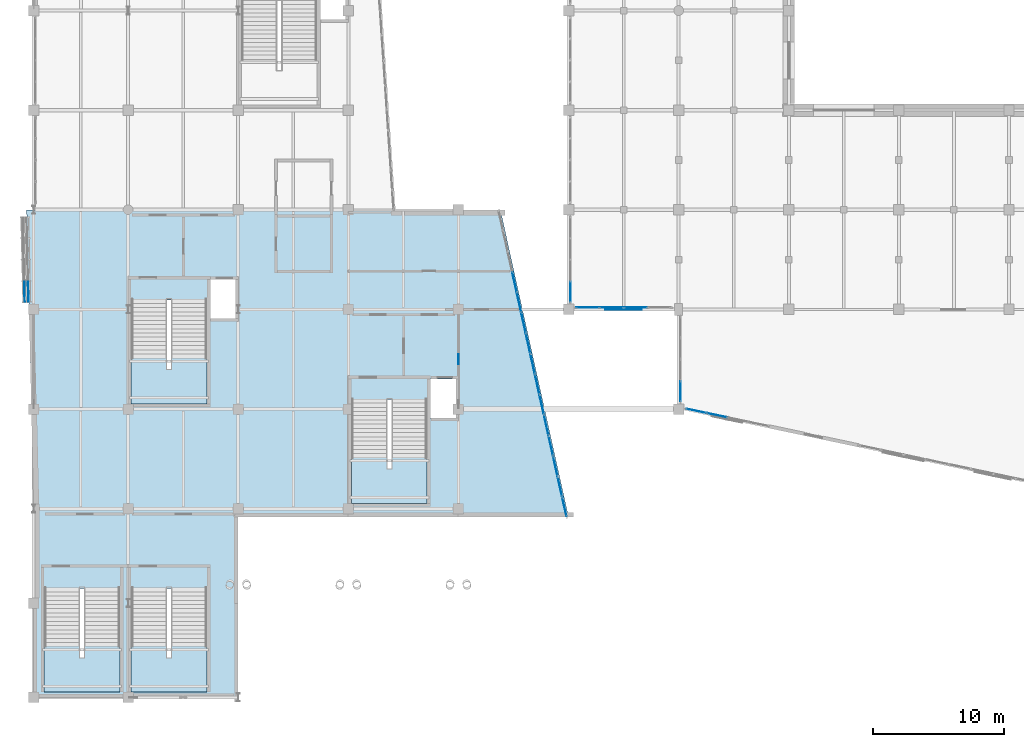
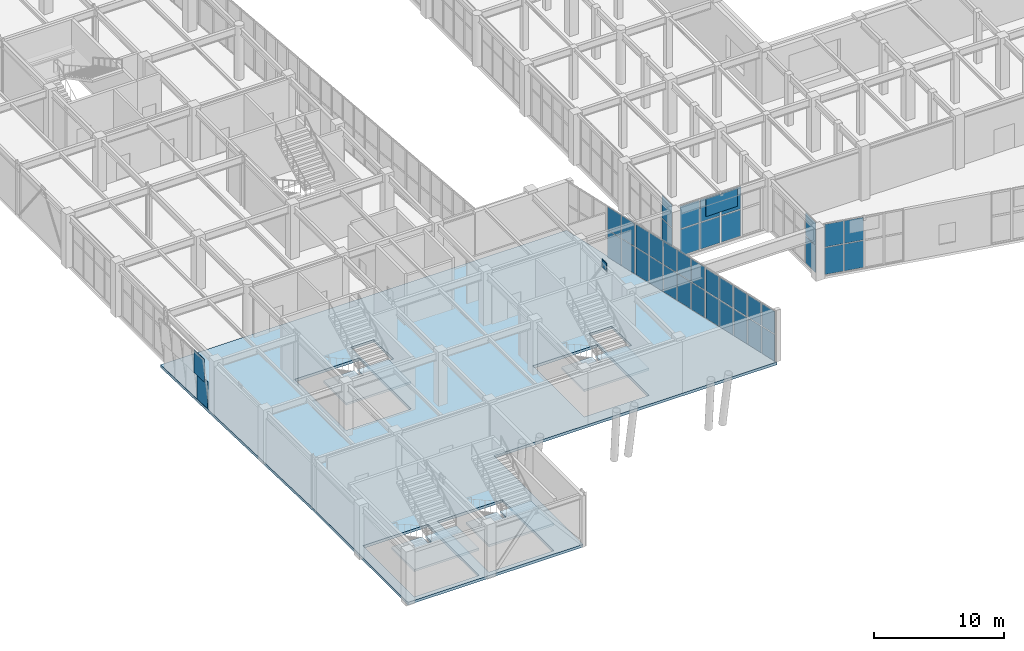
# One storey, part 94 of 128: 42 plates, 5 slabs, 12 elements without a shape of their own.
"""IFC4 building model written with IfcOpenShell, lengths in metres."""

import ifcopenshell
import ifcopenshell.guid

model = None  # the IFC model being written
_history = None  # IfcOwnerHistory: only IFC2X3 demands one
_inside = {}  # id of a spatial element -> (the spatial element, [elements in it])
_under = {}  # id of a project, library or spatial element -> (it, [spatial elements below it])
_declared = {}  # id of a project -> (the project, [libraries it declares])
_typed = {}  # id of a type object -> (the type object, [elements of that type])
_made_of = {}  # id of a material, layer set ... -> (it, [elements and type objects made of it])


def new_model(schema):
    """Start an empty IFC model of exactly this schema.

    Asked for "IFC4X3", IfcOpenShell would pick the latest addendum, in which some entities
    have other attributes; the version numbers below select the first issue.
    IFC2X3 requires an IfcOwnerHistory on every rooted entity: one is made here for all.
    """
    global model, _history
    if schema == "IFC4X3":
        model = ifcopenshell.file(schema_version=(4, 3, 0, 0))
    else:
        model = ifcopenshell.file(schema=schema)
    _inside.clear()
    _under.clear()
    _declared.clear()
    _typed.clear()
    _made_of.clear()
    _history = None
    if model.schema == "IFC2X3":
        org = make("IfcOrganization", Name="unknown")
        user = make(
            "IfcPersonAndOrganization",
            ThePerson=make("IfcPerson", FamilyName="unknown"),
            TheOrganization=org,
        )
        app = make(
            "IfcApplication",
            ApplicationDeveloper=org,
            Version="unknown",
            ApplicationFullName="unknown",
            ApplicationIdentifier="unknown",
        )
        _history = make(
            "IfcOwnerHistory",
            OwningUser=user,
            OwningApplication=app,
            ChangeAction="ADDED",
            CreationDate=0,
        )
    return model


def make(cls, **values):
    """One entity of the class cls with the attributes given. An attribute that is None is left unset."""
    return model.create_entity(
        cls, **{name: value for name, value in values.items() if value is not None}
    )


def rooted(cls, **values):
    """An entity with a GlobalId (a new one), such as an element, a storey or a relation."""
    return make(cls, GlobalId=ifcopenshell.guid.new(), OwnerHistory=_history, **values)


def si_unit(unit_type, name, prefix=None):
    """IfcSIUnit, for example si_unit("LENGTHUNIT", "METRE", prefix="MILLI")."""
    return make("IfcSIUnit", UnitType=unit_type, Prefix=prefix, Name=name)


def assignment(units):
    """IfcUnitAssignment: the units of a project."""
    return None if units is None else make("IfcUnitAssignment", Units=units)


def point(xyz):
    """IfcCartesianPoint."""
    return None if xyz is None else make("IfcCartesianPoint", Coordinates=xyz)


def direction(xyz):
    """IfcDirection."""
    return None if xyz is None else make("IfcDirection", DirectionRatios=xyz)


def frame(location, z_axis=None, x_axis=None):
    """IfcAxis2Placement3D, a coordinate frame: its origin and axes. An axis left out is left unset."""
    return make(
        "IfcAxis2Placement3D",
        Location=point(location),
        Axis=direction(z_axis),
        RefDirection=direction(x_axis),
    )


def frame_2d(location, x_axis=None):
    """IfcAxis2Placement2D, a coordinate frame in the plane: its origin and x axis."""
    return make(
        "IfcAxis2Placement2D", Location=point(location), RefDirection=direction(x_axis)
    )


def origin():
    """The frame at (0, 0, 0) with its axes left unset."""
    return frame((0.0, 0.0, 0.0))


def origin_2d():
    """The frame at (0, 0) in the plane with its x axis left unset."""
    return frame_2d((0.0, 0.0))


def place(relative_to, where):
    """IfcLocalPlacement: puts the frame where relative to a parent placement (None: the world)."""
    return make(
        "IfcLocalPlacement", PlacementRelTo=relative_to, RelativePlacement=where
    )


def context(
    kind, dimensions, precision=None, world=None, true_north=None, identifier=None
):
    """IfcGeometricRepresentationContext, for example the 3D "Model" context."""
    return make(
        "IfcGeometricRepresentationContext",
        ContextIdentifier=identifier,
        ContextType=kind,
        CoordinateSpaceDimension=dimensions,
        Precision=precision,
        WorldCoordinateSystem=world,
        TrueNorth=true_north,
    )


def subcontext(parent, identifier, kind, view, scale=None):
    """IfcGeometricRepresentationSubContext, for example "Body" below "Model"."""
    return make(
        "IfcGeometricRepresentationSubContext",
        ContextIdentifier=identifier,
        ContextType=kind,
        ParentContext=parent,
        TargetScale=scale,
        TargetView=view,
    )


def project(units=None, contexts=None):
    """IfcProject with its units and contexts."""
    return rooted(
        "IfcProject",
        Name="project",
        RepresentationContexts=contexts,
        UnitsInContext=assignment(units),
    )


def spatial(cls, under=None, at=None, **own):
    """A site, building, storey or space (cls), placed at a placement, below another one or the project."""
    s = rooted(cls, ObjectPlacement=at, **own)
    if under is not None:
        _under.setdefault(under.id(), (under, []))[1].append(s)
    return s


def polyline(points):
    """IfcPolyline through the points."""
    return make("IfcPolyline", Points=[point(p) for p in points])


def profile(cls, at=None, kind="AREA", **sizes):
    """A parametric profile (cls). Its sizes go by their IFC names, for example OverallWidth=200.0."""
    return make(cls, ProfileType=kind, Position=at, **sizes)


def rectangle(**sizes):
    """IfcRectangleProfileDef."""
    return profile("IfcRectangleProfileDef", **sizes)


def outline(outer, holes=None, kind="AREA"):
    """IfcArbitraryClosedProfileDef: a profile drawn as a closed curve; with holes, ...WithVoids."""
    if holes is None:
        return make("IfcArbitraryClosedProfileDef", ProfileType=kind, OuterCurve=outer)
    return make(
        "IfcArbitraryProfileDefWithVoids",
        ProfileType=kind,
        OuterCurve=outer,
        InnerCurves=holes,
    )


def extrude(swept, where, along, depth):
    """IfcExtrudedAreaSolid: the profile swept, set in the frame where, extruded along a direction by depth."""
    return make(
        "IfcExtrudedAreaSolid",
        SweptArea=swept,
        Position=where,
        ExtrudedDirection=direction(along),
        Depth=depth,
    )


def shape(context_of_items, identifier, shape_type, items):
    """IfcShapeRepresentation: the items that make up one representation, for example the "Body"."""
    return make(
        "IfcShapeRepresentation",
        ContextOfItems=context_of_items,
        RepresentationIdentifier=identifier,
        RepresentationType=shape_type,
        Items=items,
    )


def material(Name=None, Category=None):
    """IfcMaterial."""
    return make("IfcMaterial", Name=Name, Category=Category)


def layer(
    of_material, thickness, ventilated=None, Name=None, Category=None, Priority=None
):
    """IfcMaterialLayer: one layer of a wall or slab, of a material (None: an air gap)."""
    return make(
        "IfcMaterialLayer",
        Material=of_material,
        LayerThickness=thickness,
        IsVentilated=ventilated,
        Name=Name,
        Category=Category,
        Priority=Priority,
    )


def layer_set(layers, Name=None):
    """IfcMaterialLayerSet."""
    return make("IfcMaterialLayerSet", MaterialLayers=layers, LayerSetName=Name)


def made_of(thing, what):
    """Note that an element or type object is made of a material, layer set ...; save() writes the relation."""
    if what is not None:
        _made_of.setdefault(what.id(), (what, []))[1].append(thing)
    return thing


def type_object(cls, material=None, **own):
    """A type object (cls), such as IfcWallType, which elements share."""
    return made_of(rooted(cls, **own), material)


def element(
    cls,
    number,
    at=None,
    inside=None,
    cuts=None,
    type_object=None,
    material=None,
    context=None,
    identifier="Body",
    shape_type=None,
    held_by="IfcProductDefinitionShape",
    body=None,
    shapes=None,
    **own,
):
    """One element of the class cls, such as IfcWall. Its Tag is "e" and its number.

    at: its placement. inside: the storey or other place that contains it. cuts: it is an
    opening in that element (IfcRelVoidsElement). A single representation is given by context,
    identifier, shape_type and body (its items); several are given by shapes. held_by: the class
    of the entity that holds the representations. save() writes the other relations.
    """
    e = rooted(cls, Tag="e%d" % number, ObjectPlacement=at, **own)
    if body is not None:
        shapes = [shape(context, identifier, shape_type, body)]
    if shapes is not None:
        e.Representation = make(held_by, Representations=shapes)
    if inside is not None:
        _inside.setdefault(inside.id(), (inside, []))[1].append(e)
    if cuts is not None:
        rooted(
            "IfcRelVoidsElement", RelatingBuildingElement=cuts, RelatedOpeningElement=e
        )
    if type_object is not None:
        _typed.setdefault(type_object.id(), (type_object, []))[1].append(e)
    return made_of(e, material)


def aggregate(whole, parts):
    """IfcRelAggregates: a whole, such as a stair, and the parts it consists of."""
    return rooted("IfcRelAggregates", RelatingObject=whole, RelatedObjects=parts)


def save(model, path):
    """Write the relations noted so far, then the file.

    IfcRelAggregates (storeys below a building ...), IfcRelContainedInSpatialStructure (elements
    in a storey), IfcRelDefinesByType, IfcRelAssociatesMaterial and IfcRelDeclares: one each for
    every whole, place, type object, material and project.
    """
    for whole, parts in _under.values():
        aggregate(whole, parts)
    for where, things in _inside.values():
        rooted(
            "IfcRelContainedInSpatialStructure",
            RelatedElements=things,
            RelatingStructure=where,
        )
    for kind, things in _typed.values():
        rooted("IfcRelDefinesByType", RelatedObjects=things, RelatingType=kind)
    for what, things in _made_of.values():
        rooted("IfcRelAssociatesMaterial", RelatedObjects=things, RelatingMaterial=what)
    for by, libraries in _declared.values():
        rooted("IfcRelDeclares", RelatingContext=by, RelatedDefinitions=libraries)
    model.write(path)


model = new_model("IFC4")

# Units and contexts
model_context = context("Model", 3, precision=1e-05, world=origin(), true_north=direction((0.0, 1.0)))
body_context = subcontext(model_context, "Body", "Model", "MODEL_VIEW")
ifc_project = project(units=[si_unit("LENGTHUNIT", "METRE"), si_unit("AREAUNIT", "SQUARE_METRE"), si_unit("VOLUMEUNIT", "CUBIC_METRE"), si_unit("PLANEANGLEUNIT", "RADIAN"), si_unit("MASSUNIT", "GRAM", prefix="KILO")], contexts=[model_context])

# Site, building, storey
site_placement = place(None, origin())
site = spatial("IfcSite", under=ifc_project, at=site_placement, CompositionType="ELEMENT")
building_placement = place(site_placement, origin())
building = spatial("IfcBuilding", under=site, at=building_placement, Name="Xicomal Pleat Aquarium", CompositionType="ELEMENT")
storey_placement = place(building_placement, frame((0.0, 0.0, 5.39990234375)))
storey = spatial("IfcBuildingStorey", under=building, at=storey_placement, Name="L02", CompositionType="ELEMENT", Elevation=5.39990234375)

# Curtain wall, plates
ifc_material_1 = material(Name="Bronze anodized aluminium 6063-T6", Category="aluminium")
ifc_layer_1 = layer(ifc_material_1, 0.159912109375)
ifc_layer_set_1 = layer_set([ifc_layer_1], Name="Bronze anodized aluminium 6063-T6")
curtain_wall_type_1 = type_object("IfcCurtainWallType", Name="CW-SYS-02", PredefinedType="NOTDEFINED", material=ifc_layer_set_1)
curtain_wall_1_placement = place(storey_placement, origin())
curtain_wall_1 = element("IfcCurtainWall", 1, at=curtain_wall_1_placement, inside=storey, type_object=curtain_wall_type_1, Name="L02 unitised curtain wall CW-L02-096", PredefinedType="NOTDEFINED")
ifc_material_2 = material(Name="Insulated low-E laminated glass", Category="glass")
ifc_layer_2 = layer(ifc_material_2, 0.028076171875)
ifc_layer_set_2 = layer_set([ifc_layer_2], Name="Insulated low-E laminated glass")
plate_type_1 = type_object("IfcPlateType", Name="CWP-GLZ-28", PredefinedType="CURTAIN_PANEL", material=ifc_layer_set_2)
plate_1_placement = place(storey_placement, frame((43.93994140625, 31.75634765625, 0.06494140625), z_axis=(0.0, 0.0, 1.0), x_axis=(0.0, 1.0, 0.0)))
plate_1 = element("IfcPlate", 2, at=plate_1_placement, type_object=plate_type_1, Name="CW-02 panel 1.1", PredefinedType="CURTAIN_PANEL", context=body_context, shape_type="SweptSolid", body=[
    extrude(rectangle(XDim=1.54248046875, YDim=0.028076171875, at=origin_2d()), origin(), (0.0, 0.0, 1.0), 2.505615234375),
])
plate_2_placement = place(storey_placement, frame((43.93994140625, 31.75634765625, 2.6357421875), z_axis=(0.0, 0.0, 1.0), x_axis=(0.0, 1.0, 0.0)))
plate_2 = element("IfcPlate", 3, at=plate_2_placement, type_object=plate_type_1, Name="CW-02 panel 1.2", PredefinedType="CURTAIN_PANEL", context=body_context, shape_type="SweptSolid", body=[
    extrude(rectangle(XDim=1.54248046875, YDim=0.028076171875, at=origin_2d()), origin(), (0.0, 0.0, 1.0), 2.119384765625),
])
aggregate(curtain_wall_1, [plate_1, plate_2])

ifc_material_3 = material(Name="Bronze anodized aluminium 6063-T6", Category="aluminium")
ifc_layer_3 = layer(ifc_material_3, 0.159912109375)
ifc_layer_set_3 = layer_set([ifc_layer_3], Name="Bronze anodized aluminium 6063-T6")
curtain_wall_type_2 = type_object("IfcCurtainWallType", Name="CW-SYS-12", PredefinedType="NOTDEFINED", material=ifc_layer_set_3)
curtain_wall_2_placement = place(storey_placement, origin())
curtain_wall_2 = element("IfcCurtainWall", 4, at=curtain_wall_2_placement, inside=storey, type_object=curtain_wall_type_2, Name="L02 unitised curtain wall CW-L02-140", PredefinedType="NOTDEFINED")
plate_3_placement = place(storey_placement, frame((42.10791015625, 21.541015625, 0.0849609375), z_axis=(0.0, 0.0, 1.0), x_axis=(0.216546756166, -0.976272248092, 0.0)))
plate_3 = element("IfcPlate", 5, at=plate_3_placement, type_object=plate_type_1, Name="CW-12 panel 1.1", PredefinedType="CURTAIN_PANEL", context=body_context, shape_type="SweptSolid", body=[
    extrude(rectangle(XDim=1.47314453125, YDim=0.028076171875, at=origin_2d()), origin(), (0.0, 0.0, 1.0), 2.49658203125),
])
plate_4_placement = place(storey_placement, frame((42.10791015625, 21.541015625, 2.66650390625), z_axis=(0.0, 0.0, 1.0), x_axis=(0.216546756166, -0.976272248092, 0.0)))
plate_4 = element("IfcPlate", 6, at=plate_4_placement, type_object=plate_type_1, Name="CW-12 panel 1.2", PredefinedType="CURTAIN_PANEL", context=body_context, shape_type="SweptSolid", body=[
    extrude(rectangle(XDim=1.47314453125, YDim=0.028076171875, at=origin_2d()), origin(), (0.0, 0.0, 1.0), 2.1083984375),
])
plate_5_placement = place(storey_placement, frame((42.449951171875, 19.9990234375, 0.0849609375), z_axis=(0.0, 0.0, 1.0), x_axis=(0.216546756166, -0.976272248092, 0.0)))
plate_5 = element("IfcPlate", 7, at=plate_5_placement, type_object=plate_type_1, Name="CW-12 panel 2.1", PredefinedType="CURTAIN_PANEL", context=body_context, shape_type="SweptSolid", body=[
    extrude(rectangle(XDim=1.515625, YDim=0.028076171875, at=origin_2d()), origin(), (0.0, 0.0, 1.0), 2.49658203125),
])
plate_6_placement = place(storey_placement, frame((42.449951171875, 19.9990234375, 2.66650390625), z_axis=(0.0, 0.0, 1.0), x_axis=(0.216546756166, -0.976272248092, 0.0)))
plate_6 = element("IfcPlate", 8, at=plate_6_placement, type_object=plate_type_1, Name="CW-12 panel 2.2", PredefinedType="CURTAIN_PANEL", context=body_context, shape_type="SweptSolid", body=[
    extrude(rectangle(XDim=1.515625, YDim=0.028076171875, at=origin_2d()), origin(), (0.0, 0.0, 1.0), 2.1083984375),
])
plate_7_placement = place(storey_placement, frame((42.79638671875, 18.4365234375, 0.0849609375), z_axis=(0.0, 0.0, 1.0), x_axis=(0.216546756166, -0.976272248092, 0.0)))
plate_7 = element("IfcPlate", 9, at=plate_7_placement, type_object=plate_type_1, Name="CW-12 panel 3.1", PredefinedType="CURTAIN_PANEL", context=body_context, shape_type="SweptSolid", body=[
    extrude(rectangle(XDim=1.515625, YDim=0.028076171875, at=origin_2d()), origin(), (0.0, 0.0, 1.0), 2.49658203125),
])
plate_8_placement = place(storey_placement, frame((42.79638671875, 18.4365234375, 2.66650390625), z_axis=(0.0, 0.0, 1.0), x_axis=(0.216546756166, -0.976272248092, 0.0)))
plate_8 = element("IfcPlate", 10, at=plate_8_placement, type_object=plate_type_1, Name="CW-12 panel 3.2", PredefinedType="CURTAIN_PANEL", context=body_context, shape_type="SweptSolid", body=[
    extrude(rectangle(XDim=1.515625, YDim=0.028076171875, at=origin_2d()), origin(), (0.0, 0.0, 1.0), 2.1083984375),
])
plate_9_placement = place(storey_placement, frame((43.14306640625, 16.873779296875, 0.0849609375), z_axis=(0.0, 0.0, 1.0), x_axis=(0.216546756166, -0.976272248092, 0.0)))
plate_9 = element("IfcPlate", 11, at=plate_9_placement, type_object=plate_type_1, Name="CW-12 panel 4.1", PredefinedType="CURTAIN_PANEL", context=body_context, shape_type="SweptSolid", body=[
    extrude(rectangle(XDim=1.515625, YDim=0.028076171875, at=origin_2d()), origin(), (0.0, 0.0, 1.0), 2.49658203125),
])
plate_10_placement = place(storey_placement, frame((43.14306640625, 16.873779296875, 2.66650390625), z_axis=(0.0, 0.0, 1.0), x_axis=(0.216546756166, -0.976272248092, 0.0)))
plate_10 = element("IfcPlate", 12, at=plate_10_placement, type_object=plate_type_1, Name="CW-12 panel 4.2", PredefinedType="CURTAIN_PANEL", context=body_context, shape_type="SweptSolid", body=[
    extrude(rectangle(XDim=1.515625, YDim=0.028076171875, at=origin_2d()), origin(), (0.0, 0.0, 1.0), 2.1083984375),
])
plate_11_placement = place(storey_placement, frame((43.485107421875, 15.33203125, 0.0849609375), z_axis=(0.0, 0.0, 1.0), x_axis=(0.216546756166, -0.976272248092, 0.0)))
plate_11 = element("IfcPlate", 13, at=plate_11_placement, type_object=plate_type_1, Name="CW-12 panel 5.1", PredefinedType="CURTAIN_PANEL", context=body_context, shape_type="SweptSolid", body=[
    extrude(rectangle(XDim=1.47314453125, YDim=0.028076171875, at=origin_2d()), origin(), (0.0, 0.0, 1.0), 2.49658203125),
])
plate_12_placement = place(storey_placement, frame((43.485107421875, 15.33203125, 2.66650390625), z_axis=(0.0, 0.0, 1.0), x_axis=(0.216546756166, -0.976272248092, 0.0)))
plate_12 = element("IfcPlate", 14, at=plate_12_placement, type_object=plate_type_1, Name="CW-12 panel 5.2", PredefinedType="CURTAIN_PANEL", context=body_context, shape_type="SweptSolid", body=[
    extrude(rectangle(XDim=1.47314453125, YDim=0.028076171875, at=origin_2d()), origin(), (0.0, 0.0, 1.0), 2.1083984375),
])
aggregate(curtain_wall_2, [plate_3, plate_4, plate_5, plate_6, plate_7, plate_8, plate_9, plate_10, plate_11, plate_12])

curtain_wall_3_placement = place(storey_placement, origin())
curtain_wall_3 = element("IfcCurtainWall", 15, at=curtain_wall_3_placement, inside=storey, type_object=curtain_wall_type_1, Name="L02 unitised curtain wall CW-L02-093", PredefinedType="NOTDEFINED")
ifc_material_4 = material(Name="Insulated low-E laminated glass", Category="glass")
ifc_layer_4 = layer(ifc_material_4, 0.031982421875)
ifc_layer_set_4 = layer_set([ifc_layer_4], Name="Insulated low-E laminated glass")
plate_type_2 = type_object("IfcPlateType", Name="CWP-GLZ-32", PredefinedType="CURTAIN_PANEL", material=ifc_layer_set_4)
plate_13_placement = place(storey_placement, frame((55.12451171875, 22.323974609375, 0.06494140625), z_axis=(0.0, 0.0, 1.0), x_axis=(-0.978331034314, 0.207046823929, 0.0)))
plate_13 = element("IfcPlate", 16, at=plate_13_placement, type_object=plate_type_2, Name="CW-02 panel 3.1", PredefinedType="CURTAIN_PANEL", context=body_context, shape_type="SweptSolid", body=[
    extrude(rectangle(XDim=1.5517578125, YDim=0.031982421875, at=origin_2d()), origin(), (0.0, 0.0, 1.0), 2.526611328125),
])
plate_14_placement = place(storey_placement, frame((55.12451171875, 22.323974609375, 2.65673828125), z_axis=(0.0, 0.0, 1.0), x_axis=(-0.978331034314, 0.207046823929, 0.0)))
plate_14 = element("IfcPlate", 17, at=plate_14_placement, type_object=plate_type_2, Name="CW-02 panel 3.2", PredefinedType="CURTAIN_PANEL", context=body_context, shape_type="SweptSolid", body=[
    extrude(rectangle(XDim=1.5517578125, YDim=0.031982421875, at=origin_2d()), origin(), (0.0, 0.0, 1.0), 2.138427734375),
])
plate_15_placement = place(storey_placement, frame((53.558837890625, 22.6552734375, 0.06494140625), z_axis=(0.0, 0.0, 1.0), x_axis=(-0.978331034314, 0.207046823929, 0.0)))
plate_15 = element("IfcPlate", 18, at=plate_15_placement, type_object=plate_type_2, Name="CW-02 panel 4.1", PredefinedType="CURTAIN_PANEL", context=body_context, shape_type="SweptSolid", body=[
    extrude(rectangle(XDim=1.519287109375, YDim=0.031982421875, at=origin_2d()), origin(), (0.0, 0.0, 1.0), 2.526611328125),
])
plate_16_placement = place(storey_placement, frame((53.558837890625, 22.6552734375, 2.65673828125), z_axis=(0.0, 0.0, 1.0), x_axis=(-0.978331034314, 0.207046823929, 0.0)))
plate_16 = element("IfcPlate", 19, at=plate_16_placement, type_object=plate_type_2, Name="CW-02 panel 4.2", PredefinedType="CURTAIN_PANEL", context=body_context, shape_type="SweptSolid", body=[
    extrude(rectangle(XDim=1.519287109375, YDim=0.031982421875, at=origin_2d()), origin(), (0.0, 0.0, 1.0), 2.138427734375),
])
aggregate(curtain_wall_3, [plate_13, plate_14, plate_15, plate_16])

curtain_wall_4_placement = place(storey_placement, origin())
curtain_wall_4 = element("IfcCurtainWall", 20, at=curtain_wall_4_placement, inside=storey, type_object=curtain_wall_type_1, Name="L02 unitised curtain wall CW-L02-141", PredefinedType="NOTDEFINED")
plate_17_placement = place(storey_placement, frame((2.589111328125, 31.761962890625, 0.06494140625), z_axis=(0.0, 0.0, 1.0), x_axis=(-0.023544473116, 0.99972279047, 0.0)))
plate_17 = element("IfcPlate", 21, at=plate_17_placement, type_object=plate_type_2, Name="CW-02 panel 1.1", PredefinedType="CURTAIN_PANEL", context=body_context, shape_type="SweptSolid", body=[
    extrude(rectangle(XDim=1.53759765625, YDim=0.031982421875, at=origin_2d()), origin(), (0.0, 0.0, 1.0), 2.526611328125),
])
plate_18_placement = place(storey_placement, frame((2.30322265625, 31.755126953125, 2.65673828125), z_axis=(0.0, 0.0, 1.0), x_axis=(-0.023544473116, 0.99972279047, 0.0)))
plate_18 = element("IfcPlate", 22, at=plate_18_placement, type_object=plate_type_2, Name="CW-02 panel 1.2", PredefinedType="CURTAIN_PANEL", context=body_context, shape_type="SweptSolid", body=[
    extrude(rectangle(XDim=1.53759765625, YDim=0.031982421875, at=origin_2d()), origin(), (0.0, 0.0, 1.0), 2.138427734375),
])
aggregate(curtain_wall_4, [plate_17, plate_18])

ifc_material_5 = material(Name="Bronze anodized aluminium 6063-T6", Category="aluminium")
ifc_layer_5 = layer(ifc_material_5, 0.159912109375)
ifc_layer_set_5 = layer_set([ifc_layer_5], Name="Bronze anodized aluminium 6063-T6")
curtain_wall_type_3 = type_object("IfcCurtainWallType", Name="CW-SYS-07", PredefinedType="NOTDEFINED", material=ifc_layer_set_5)
curtain_wall_5_placement = place(storey_placement, origin())
curtain_wall_5 = element("IfcCurtainWall", 23, at=curtain_wall_5_placement, inside=storey, type_object=curtain_wall_type_3, Name="L02 unitised curtain wall CW-L02-094", PredefinedType="NOTDEFINED")
ifc_material_6 = material(Name="Insulated low-E laminated glass", Category="glass")
ifc_layer_6 = layer(ifc_material_6, 0.035888671875)
ifc_layer_set_6 = layer_set([ifc_layer_6], Name="Insulated low-E laminated glass")
plate_type_3 = type_object("IfcPlateType", Name="CWP-GLZ-36", PredefinedType="CURTAIN_PANEL", material=ifc_layer_set_6)
plate_19_placement = place(storey_placement, frame((52.340087890625, 24.15869140625, 0.0751953125), z_axis=(0.0, 0.0, 1.0), x_axis=(0.0, 1.0, 0.0)))
plate_19 = element("IfcPlate", 24, at=plate_19_placement, type_object=plate_type_3, Name="CW-07 panel 1.1", PredefinedType="CURTAIN_PANEL", context=body_context, shape_type="SweptSolid", body=[
    extrude(rectangle(XDim=1.527587890625, YDim=0.035888671875, at=origin_2d()), origin(), (0.0, 0.0, 1.0), 2.511474609375),
])
plate_20_placement = place(storey_placement, frame((52.340087890625, 24.15869140625, 2.66162109375), z_axis=(0.0, 0.0, 1.0), x_axis=(0.0, 1.0, 0.0)))
plate_20 = element("IfcPlate", 25, at=plate_20_placement, type_object=plate_type_3, Name="CW-07 panel 1.2", PredefinedType="CURTAIN_PANEL", context=body_context, shape_type="SweptSolid", body=[
    extrude(rectangle(XDim=1.527587890625, YDim=0.035888671875, at=origin_2d()), origin(), (0.0, 0.0, 1.0), 2.12353515625),
])
aggregate(curtain_wall_5, [plate_19, plate_20])

curtain_wall_6_placement = place(storey_placement, origin())
curtain_wall_6 = element("IfcCurtainWall", 26, at=curtain_wall_6_placement, inside=storey, type_object=curtain_wall_type_1, Name="L02 unitised curtain wall CW-L02-138", PredefinedType="NOTDEFINED")
plate_21_placement = place(storey_placement, frame((39.676025390625, 32.5009765625, 0.06494140625), z_axis=(0.0, 0.0, 1.0), x_axis=(0.216546756166, -0.976272248092, 0.0)))
plate_21 = element("IfcPlate", 27, at=plate_21_placement, type_object=plate_type_3, Name="CW-02 panel 4.1", PredefinedType="CURTAIN_PANEL", context=body_context, shape_type="SweptSolid", body=[
    extrude(rectangle(XDim=1.53564453125, YDim=0.035888671875, at=origin_2d()), origin(), (0.0, 0.0, 1.0), 2.526611328125),
])
plate_22_placement = place(storey_placement, frame((39.676025390625, 32.5009765625, 2.65673828125), z_axis=(0.0, 0.0, 1.0), x_axis=(0.216546756166, -0.976272248092, 0.0)))
plate_22 = element("IfcPlate", 28, at=plate_22_placement, type_object=plate_type_3, Name="CW-02 panel 4.2", PredefinedType="CURTAIN_PANEL", context=body_context, shape_type="SweptSolid", body=[
    extrude(rectangle(XDim=1.53564453125, YDim=0.035888671875, at=origin_2d()), origin(), (0.0, 0.0, 1.0), 2.138427734375),
])
plate_23_placement = place(storey_placement, frame((40.019287109375, 30.9541015625, 0.06494140625), z_axis=(0.0, 0.0, 1.0), x_axis=(0.216546756166, -0.976272248092, 0.0)))
plate_23 = element("IfcPlate", 29, at=plate_23_placement, type_object=plate_type_3, Name="CW-02 panel 5.1", PredefinedType="CURTAIN_PANEL", context=body_context, shape_type="SweptSolid", body=[
    extrude(rectangle(XDim=1.503173828125, YDim=0.035888671875, at=origin_2d()), origin(), (0.0, 0.0, 1.0), 2.526611328125),
])
plate_24_placement = place(storey_placement, frame((40.019287109375, 30.9541015625, 2.65673828125), z_axis=(0.0, 0.0, 1.0), x_axis=(0.216546756166, -0.976272248092, 0.0)))
plate_24 = element("IfcPlate", 30, at=plate_24_placement, type_object=plate_type_3, Name="CW-02 panel 5.2", PredefinedType="CURTAIN_PANEL", context=body_context, shape_type="SweptSolid", body=[
    extrude(rectangle(XDim=1.503173828125, YDim=0.035888671875, at=origin_2d()), origin(), (0.0, 0.0, 1.0), 2.138427734375),
])
aggregate(curtain_wall_6, [plate_21, plate_22, plate_23, plate_24])

curtain_wall_7_placement = place(storey_placement, origin())
curtain_wall_7 = element("IfcCurtainWall", 31, at=curtain_wall_7_placement, inside=storey, type_object=curtain_wall_type_2, Name="L02 unitised curtain wall CW-L02-095", PredefinedType="NOTDEFINED")
ifc_material_7 = material(Name="Insulated low-E laminated glass", Category="glass")
ifc_layer_7 = layer(ifc_material_7, 0.0419921875)
ifc_layer_set_7 = layer_set([ifc_layer_7], Name="Insulated low-E laminated glass")
plate_type_4 = type_object("IfcPlateType", Name="CWP-GLZ-42", PredefinedType="CURTAIN_PANEL", material=ifc_layer_set_7)
plate_25_placement = place(storey_placement, frame((48.919921875, 30.5400390625, 0.085205078125), z_axis=(0.0, 0.0, 1.0), x_axis=(-1.0, 0.0, 0.0)))
plate_25 = element("IfcPlate", 32, at=plate_25_placement, type_object=plate_type_4, Name="CW-12 panel 2.1", PredefinedType="CURTAIN_PANEL", context=body_context, shape_type="SweptSolid", body=[
    extrude(rectangle(XDim=1.7548828125, YDim=0.0419921875, at=origin_2d()), origin(), (0.0, 0.0, 1.0), 2.4755859375),
])
plate_26_placement = place(storey_placement, frame((48.919921875, 30.5400390625, 2.6455078125), z_axis=(0.0, 0.0, 1.0), x_axis=(-1.0, 0.0, 0.0)))
plate_26 = element("IfcPlate", 33, at=plate_26_placement, type_object=plate_type_4, Name="CW-12 panel 2.2", PredefinedType="CURTAIN_PANEL", context=body_context, shape_type="SweptSolid", body=[
    extrude(rectangle(XDim=1.7548828125, YDim=0.0419921875, at=origin_2d()), origin(), (0.0, 0.0, 1.0), 2.089599609375),
])
plate_27_placement = place(storey_placement, frame((47.080078125, 30.5400390625, 0.085205078125), z_axis=(0.0, 0.0, 1.0), x_axis=(-1.0, 0.0, 0.0)))
plate_27 = element("IfcPlate", 34, at=plate_27_placement, type_object=plate_type_4, Name="CW-12 panel 3.1", PredefinedType="CURTAIN_PANEL", context=body_context, shape_type="SweptSolid", body=[
    extrude(rectangle(XDim=1.7548828125, YDim=0.0419921875, at=origin_2d()), origin(), (0.0, 0.0, 1.0), 2.4755859375),
])
plate_28_placement = place(storey_placement, frame((47.080078125, 30.5400390625, 2.6455078125), z_axis=(0.0, 0.0, 1.0), x_axis=(-1.0, 0.0, 0.0)))
plate_28 = element("IfcPlate", 35, at=plate_28_placement, type_object=plate_type_4, Name="CW-12 panel 3.2", PredefinedType="CURTAIN_PANEL", context=body_context, shape_type="SweptSolid", body=[
    extrude(rectangle(XDim=1.7548828125, YDim=0.0419921875, at=origin_2d()), origin(), (0.0, 0.0, 1.0), 2.089599609375),
])
plate_29_placement = place(storey_placement, frame((45.26123046875, 30.5400390625, 0.085205078125), z_axis=(0.0, 0.0, 1.0), x_axis=(-1.0, 0.0, 0.0)))
plate_29 = element("IfcPlate", 36, at=plate_29_placement, type_object=plate_type_4, Name="CW-12 panel 4.1", PredefinedType="CURTAIN_PANEL", context=body_context, shape_type="SweptSolid", body=[
    extrude(rectangle(XDim=1.71240234375, YDim=0.0419921875, at=origin_2d()), origin(), (0.0, 0.0, 1.0), 2.4755859375),
])
plate_30_placement = place(storey_placement, frame((45.26123046875, 30.5400390625, 2.6455078125), z_axis=(0.0, 0.0, 1.0), x_axis=(-1.0, 0.0, 0.0)))
plate_30 = element("IfcPlate", 37, at=plate_30_placement, type_object=plate_type_4, Name="CW-12 panel 4.2", PredefinedType="CURTAIN_PANEL", context=body_context, shape_type="SweptSolid", body=[
    extrude(rectangle(XDim=1.71240234375, YDim=0.0419921875, at=origin_2d()), origin(), (0.0, 0.0, 1.0), 2.089599609375),
])
aggregate(curtain_wall_7, [plate_25, plate_26, plate_27, plate_28, plate_29, plate_30])

curtain_wall_8_placement = place(storey_placement, origin())
curtain_wall_8 = element("IfcCurtainWall", 38, at=curtain_wall_8_placement, inside=storey, type_object=curtain_wall_type_3, Name="L02 unitised curtain wall CW-L02-139", PredefinedType="NOTDEFINED")
plate_31_placement = place(storey_placement, frame((40.37353515625, 29.357421875, 0.0751953125), z_axis=(0.0, 0.0, 1.0), x_axis=(0.216639420253, -0.976251689674, 0.0)))
plate_31 = element("IfcPlate", 39, at=plate_31_placement, type_object=plate_type_4, Name="CW-07 panel 1.1", PredefinedType="CURTAIN_PANEL", context=body_context, shape_type="SweptSolid", body=[
    extrude(rectangle(XDim=1.48828125, YDim=0.0419921875, at=origin_2d()), origin(), (0.0, 0.0, 1.0), 2.533447265625),
])
plate_32_placement = place(storey_placement, frame((40.37353515625, 29.357421875, 2.68359375), z_axis=(0.0, 0.0, 1.0), x_axis=(0.216639420253, -0.976251689674, 0.0)))
plate_32 = element("IfcPlate", 40, at=plate_32_placement, type_object=plate_type_4, Name="CW-07 panel 1.2", PredefinedType="CURTAIN_PANEL", context=body_context, shape_type="SweptSolid", body=[
    extrude(rectangle(XDim=1.48828125, YDim=0.0419921875, at=origin_2d()), origin(), (0.0, 0.0, 1.0), 2.1416015625),
])
plate_33_placement = place(storey_placement, frame((40.71630859375, 27.812744140625, 0.0751953125), z_axis=(0.0, 0.0, 1.0), x_axis=(0.216639420253, -0.976251689674, 0.0)))
plate_33 = element("IfcPlate", 41, at=plate_33_placement, type_object=plate_type_4, Name="CW-07 panel 2.1", PredefinedType="CURTAIN_PANEL", context=body_context, shape_type="SweptSolid", body=[
    extrude(rectangle(XDim=1.52587890625, YDim=0.0419921875, at=origin_2d()), origin(), (0.0, 0.0, 1.0), 2.533447265625),
])
plate_34_placement = place(storey_placement, frame((40.71630859375, 27.812744140625, 2.68359375), z_axis=(0.0, 0.0, 1.0), x_axis=(0.216639420253, -0.976251689674, 0.0)))
plate_34 = element("IfcPlate", 42, at=plate_34_placement, type_object=plate_type_4, Name="CW-07 panel 2.2", PredefinedType="CURTAIN_PANEL", context=body_context, shape_type="SweptSolid", body=[
    extrude(rectangle(XDim=1.52587890625, YDim=0.0419921875, at=origin_2d()), origin(), (0.0, 0.0, 1.0), 2.1416015625),
])
plate_35_placement = place(storey_placement, frame((41.06298828125, 26.25, 0.0751953125), z_axis=(0.0, 0.0, 1.0), x_axis=(0.216639420253, -0.976251689674, 0.0)))
plate_35 = element("IfcPlate", 43, at=plate_35_placement, type_object=plate_type_4, Name="CW-07 panel 3.1", PredefinedType="CURTAIN_PANEL", context=body_context, shape_type="SweptSolid", body=[
    extrude(rectangle(XDim=1.52587890625, YDim=0.0419921875, at=origin_2d()), origin(), (0.0, 0.0, 1.0), 2.533447265625),
])
plate_36_placement = place(storey_placement, frame((41.06298828125, 26.25, 2.68359375), z_axis=(0.0, 0.0, 1.0), x_axis=(0.216639420253, -0.976251689674, 0.0)))
plate_36 = element("IfcPlate", 44, at=plate_36_placement, type_object=plate_type_4, Name="CW-07 panel 3.2", PredefinedType="CURTAIN_PANEL", context=body_context, shape_type="SweptSolid", body=[
    extrude(rectangle(XDim=1.52587890625, YDim=0.0419921875, at=origin_2d()), origin(), (0.0, 0.0, 1.0), 2.1416015625),
])
plate_37_placement = place(storey_placement, frame((41.409912109375, 24.687255859375, 0.0751953125), z_axis=(0.0, 0.0, 1.0), x_axis=(0.216639420253, -0.976251689674, 0.0)))
plate_37 = element("IfcPlate", 45, at=plate_37_placement, type_object=plate_type_4, Name="CW-07 panel 4.1", PredefinedType="CURTAIN_PANEL", context=body_context, shape_type="SweptSolid", body=[
    extrude(rectangle(XDim=1.52587890625, YDim=0.0419921875, at=origin_2d()), origin(), (0.0, 0.0, 1.0), 2.533447265625),
])
plate_38_placement = place(storey_placement, frame((41.409912109375, 24.687255859375, 2.68359375), z_axis=(0.0, 0.0, 1.0), x_axis=(0.216639420253, -0.976251689674, 0.0)))
plate_38 = element("IfcPlate", 46, at=plate_38_placement, type_object=plate_type_4, Name="CW-07 panel 4.2", PredefinedType="CURTAIN_PANEL", context=body_context, shape_type="SweptSolid", body=[
    extrude(rectangle(XDim=1.52587890625, YDim=0.0419921875, at=origin_2d()), origin(), (0.0, 0.0, 1.0), 2.1416015625),
])
plate_39_placement = place(storey_placement, frame((41.75244140625, 23.142578125, 0.0751953125), z_axis=(0.0, 0.0, 1.0), x_axis=(0.216639420253, -0.976251689674, 0.0)))
plate_39 = element("IfcPlate", 47, at=plate_39_placement, type_object=plate_type_4, Name="CW-07 panel 5.1", PredefinedType="CURTAIN_PANEL", context=body_context, shape_type="SweptSolid", body=[
    extrude(rectangle(XDim=1.48828125, YDim=0.0419921875, at=origin_2d()), origin(), (0.0, 0.0, 1.0), 2.533447265625),
])
plate_40_placement = place(storey_placement, frame((41.75244140625, 23.142578125, 2.68359375), z_axis=(0.0, 0.0, 1.0), x_axis=(0.216639420253, -0.976251689674, 0.0)))
plate_40 = element("IfcPlate", 48, at=plate_40_placement, type_object=plate_type_4, Name="CW-07 panel 5.2", PredefinedType="CURTAIN_PANEL", context=body_context, shape_type="SweptSolid", body=[
    extrude(rectangle(XDim=1.48828125, YDim=0.0419921875, at=origin_2d()), origin(), (0.0, 0.0, 1.0), 2.1416015625),
])
aggregate(curtain_wall_8, [plate_31, plate_32, plate_33, plate_34, plate_35, plate_36, plate_37, plate_38, plate_39, plate_40])

# Plates
ifc_material_8 = material(Name="Structural steel A992 Gr 50", Category="steel")
ifc_layer_8 = layer(ifc_material_8, 0.044921875)
ifc_layer_set_8 = layer_set([ifc_layer_8], Name="Structural steel A992 Gr 50")
plate_type_5 = type_object("IfcPlateType", Name="PLT-GUS-45", PredefinedType="USERDEFINED", material=ifc_layer_set_8)
plate_41_placement = place(storey_placement, frame((35.39990234375, 26.60009765625, 4.375), z_axis=(0.0, 0.0, 1.0), x_axis=(0.0, 1.0, 0.0)))
element("IfcPlate", 49, at=plate_41_placement, inside=storey, type_object=plate_type_5, Name="L02 chevron gusset node plate 13", ObjectType="GUSSET PLATE", PredefinedType="USERDEFINED", context=body_context, shape_type="SweptSolid", body=[
    extrude(rectangle(XDim=0.75, YDim=0.044921875, at=origin_2d()), origin(), (0.0, 0.0, 1.0), 0.75),
])
ifc_material_9 = material(Name="Perforated bronze anodized aluminium", Category="aluminium")
ifc_layer_9 = layer(ifc_material_9, 0.02001953125)
ifc_layer_set_9 = layer_set([ifc_layer_9], Name="Perforated bronze anodized aluminium")
plate_type_6 = type_object("IfcPlateType", Name="PLT-SUN-20", PredefinedType="USERDEFINED", material=ifc_layer_set_9)
plate_42_placement = place(storey_placement, frame((48.0, 30.3798828125, 3.10009765625), z_axis=(0.0, 0.0, 1.0), x_axis=(-1.0, 0.0, 0.0)))
element("IfcPlate", 50, at=plate_42_placement, inside=storey, type_object=plate_type_6, Name="L02 perforated solar sunshade 52", ObjectType="SUNSHADE PANEL", PredefinedType="USERDEFINED", context=body_context, shape_type="SweptSolid", body=[
    extrude(rectangle(XDim=2.800048828125, YDim=0.02001953125, at=origin_2d()), origin(), (0.0, 0.0, 1.0), 1.679931640625),
])

# Slab
ifc_material_10 = material(Name="Concrete C40/50", Category="concrete")
ifc_layer_10 = layer(ifc_material_10, 0.260009765625)
ifc_layer_set_10 = layer_set([ifc_layer_10], Name="Concrete C40/50")
slab_type_1 = type_object("IfcSlabType", Name="SLB-FLR-260", PredefinedType="FLOOR", material=ifc_layer_set_10)
slab_1_placement = place(storey_placement, frame((0.0, 0.0, -0.260009765625)))
element("IfcSlab", 51, at=slab_1_placement, inside=storey, type_object=slab_type_1, Name="L02 structural slab V6", PredefinedType="FLOOR", context=body_context, shape_type="SweptSolid", body=[
    extrude(outline(polyline([(3.0, 15.199951171875), (2.4599609375, 38.0), (38.60009765625, 38.0), (43.800048828125, 14.56005859375), (18.60009765625, 14.56005859375), (18.60009765625, 0.800048828125), (3.0, 0.800048828125), (3.0, 15.199951171875)]), holes=[polyline([(10.43994140625, 23.199951171875), (16.219970703125, 23.199951171875), (16.219970703125, 31.1201171875), (10.43994140625, 31.1201171875), (10.43994140625, 23.199951171875)]), polyline([(16.360107421875, 29.699951171875), (18.39990234375, 29.699951171875), (18.39990234375, 32.699951171875), (16.360107421875, 32.699951171875), (16.360107421875, 29.699951171875)]), polyline([(27.239990234375, 15.60009765625), (33.02001953125, 15.60009765625), (33.02001953125, 23.52001953125), (27.239990234375, 23.52001953125), (27.239990234375, 15.60009765625)]), polyline([(33.159912109375, 22.10009765625), (35.199951171875, 22.10009765625), (35.199951171875, 25.10009765625), (33.159912109375, 25.10009765625), (33.159912109375, 22.10009765625)]), polyline([(10.43994140625, 1.199951171875), (16.219970703125, 1.199951171875), (16.219970703125, 9.1201171875), (10.43994140625, 9.1201171875), (10.43994140625, 1.199951171875)]), polyline([(3.800048828125, 1.199951171875), (9.580078125, 1.199951171875), (9.580078125, 9.1201171875), (3.800048828125, 9.1201171875), (3.800048828125, 1.199951171875)])]), origin(), (0.0, 0.0, 1.0), 0.260009765625),
])

# Stair, slab
ifc_material_11 = material(Name="Concrete C35/45", Category="concrete")
stair_type = type_object("IfcStairType", Name="STR-HT-5100-2400", PredefinedType="HALF_TURN_STAIR", material=ifc_material_11)
stair_1_placement = place(storey_placement, origin())
stair_1 = element("IfcStair", 52, at=stair_1_placement, inside=storey, type_object=stair_type, Name="ST-01 fire exit stair L02 to L03", PredefinedType="HALF_TURN_STAIR")
ifc_material_12 = material(Name="Concrete C35/45", Category="concrete")
ifc_layer_11 = layer(ifc_material_12, 0.195068359375)
ifc_layer_set_11 = layer_set([ifc_layer_11], Name="Concrete C35/45")
slab_type_2 = type_object("IfcSlabType", Name="SLB-LND-195", PredefinedType="LANDING", material=ifc_layer_set_11)
slab_2_placement = place(storey_placement, frame((0.0, 0.0, 2.35498046875)))
slab_2 = element("IfcSlab", 53, at=slab_2_placement, type_object=slab_type_2, Name="ST-01 landing 1", PredefinedType="LANDING", context=body_context, shape_type="SweptSolid", body=[
    extrude(outline(polyline([(10.43994140625, 23.199951171875), (16.219970703125, 23.199951171875), (16.219970703125, 26.73193359375), (13.47998046875, 26.73193359375), (13.47998046875, 25.822021484375), (13.179931640625, 25.822021484375), (13.179931640625, 26.73193359375), (10.43994140625, 26.73193359375), (10.43994140625, 23.199951171875)])), origin(), (0.0, 0.0, 1.0), 0.195068359375),
])
aggregate(stair_1, [slab_2])

stair_2_placement = place(storey_placement, origin())
stair_2 = element("IfcStair", 54, at=stair_2_placement, inside=storey, type_object=stair_type, Name="ST-02 fire exit stair L02 to L03", PredefinedType="HALF_TURN_STAIR")
slab_3_placement = place(storey_placement, frame((0.0, 0.0, 2.35498046875)))
slab_3 = element("IfcSlab", 55, at=slab_3_placement, type_object=slab_type_2, Name="ST-02 landing 1", PredefinedType="LANDING", context=body_context, shape_type="SweptSolid", body=[
    extrude(outline(polyline([(27.239990234375, 15.60009765625), (33.02001953125, 15.60009765625), (33.02001953125, 19.132080078125), (30.280029296875, 19.132080078125), (30.280029296875, 18.221923828125), (29.97998046875, 18.221923828125), (29.97998046875, 19.132080078125), (27.239990234375, 19.132080078125), (27.239990234375, 15.60009765625)])), origin(), (0.0, 0.0, 1.0), 0.195068359375),
])
aggregate(stair_2, [slab_3])

stair_3_placement = place(storey_placement, origin())
stair_3 = element("IfcStair", 56, at=stair_3_placement, inside=storey, type_object=stair_type, Name="ST-09 fire exit stair L02 to L03", PredefinedType="HALF_TURN_STAIR")
slab_4_placement = place(storey_placement, frame((0.0, 0.0, 2.35498046875)))
slab_4 = element("IfcSlab", 57, at=slab_4_placement, type_object=slab_type_2, Name="ST-09 landing 1", PredefinedType="LANDING", context=body_context, shape_type="SweptSolid", body=[
    extrude(outline(polyline([(10.43994140625, 1.199951171875), (16.219970703125, 1.199951171875), (16.219970703125, 4.73193359375), (13.47998046875, 4.73193359375), (13.47998046875, 3.822021484375), (13.179931640625, 3.822021484375), (13.179931640625, 4.73193359375), (10.43994140625, 4.73193359375), (10.43994140625, 1.199951171875)])), origin(), (0.0, 0.0, 1.0), 0.195068359375),
])
aggregate(stair_3, [slab_4])

stair_4_placement = place(storey_placement, origin())
stair_4 = element("IfcStair", 58, at=stair_4_placement, inside=storey, type_object=stair_type, Name="ST-10 fire exit stair L02 to L03", PredefinedType="HALF_TURN_STAIR")
slab_5_placement = place(storey_placement, frame((0.0, 0.0, 2.35498046875)))
slab_5 = element("IfcSlab", 59, at=slab_5_placement, type_object=slab_type_2, Name="ST-10 landing 1", PredefinedType="LANDING", context=body_context, shape_type="SweptSolid", body=[
    extrude(outline(polyline([(3.800048828125, 1.199951171875), (9.580078125, 1.199951171875), (9.580078125, 4.73193359375), (6.840087890625, 4.73193359375), (6.840087890625, 3.822021484375), (6.5400390625, 3.822021484375), (6.5400390625, 4.73193359375), (3.800048828125, 4.73193359375), (3.800048828125, 1.199951171875)])), origin(), (0.0, 0.0, 1.0), 0.195068359375),
])
aggregate(stair_4, [slab_5])

save(model, "model.ifc")
